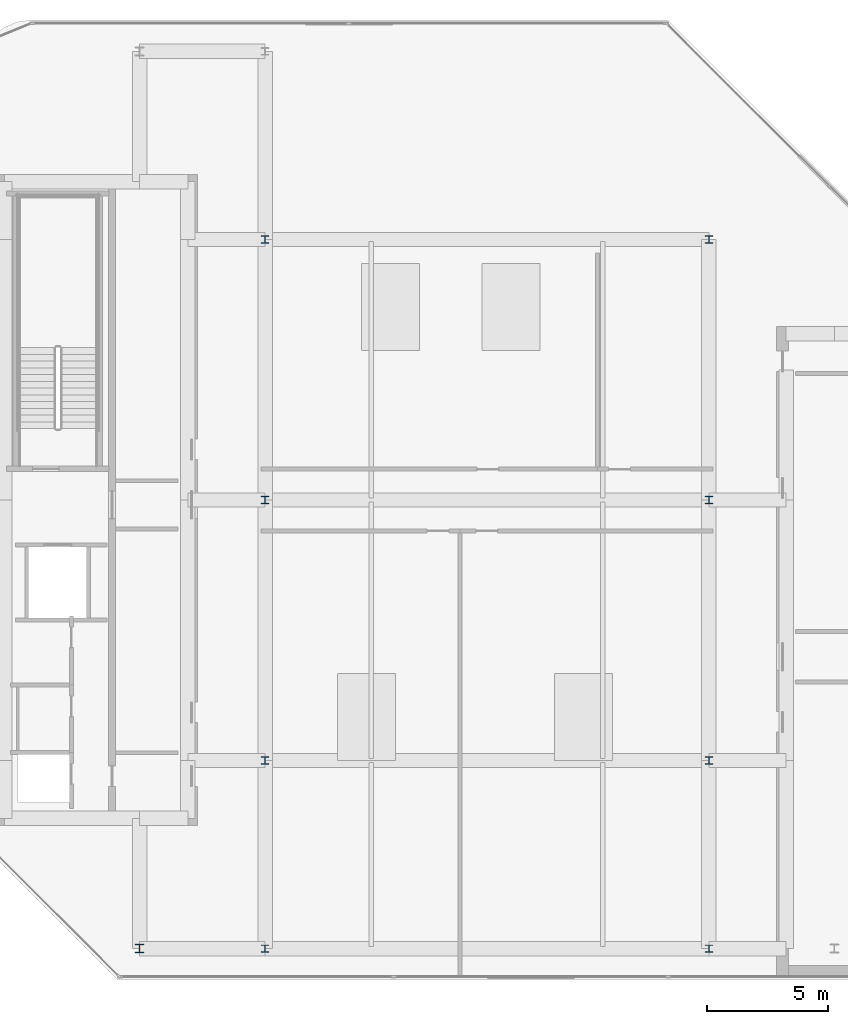
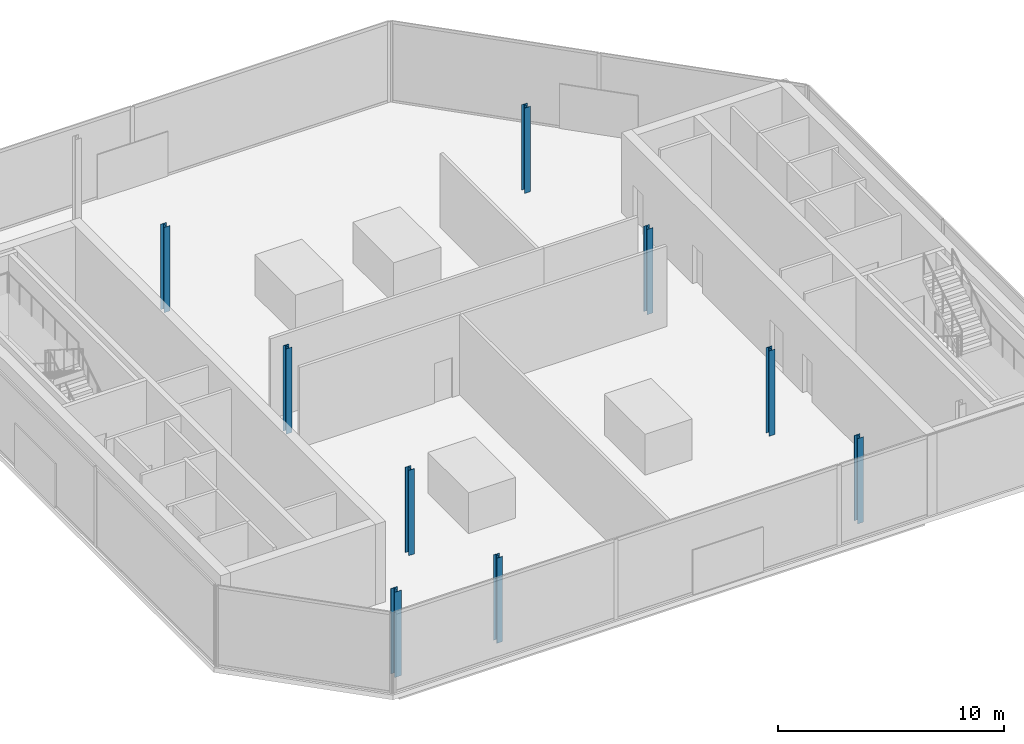
# One storey, part 1 of 15: 9 columns.
"""IFC4 building model written with IfcOpenShell, lengths in metres."""

from ifc_helpers import new_model, si_unit, direction, frame, origin, origin_2d, place, context, subcontext, project, spatial, i_section, extrude, material, material_profile, profile_set, type_object, element, save


model = new_model("IFC4")

# Units and contexts
model_context = context("Model", 3, precision=1e-05, world=origin(), true_north=direction((0.0, 1.0)))
body_context = subcontext(model_context, "Body", "Model", "MODEL_VIEW")
ifc_project = project(units=[si_unit("LENGTHUNIT", "METRE"), si_unit("AREAUNIT", "SQUARE_METRE"), si_unit("VOLUMEUNIT", "CUBIC_METRE"), si_unit("PLANEANGLEUNIT", "RADIAN"), si_unit("MASSUNIT", "GRAM", prefix="KILO")], contexts=[model_context])

# Site, building, storey
site_placement = place(None, origin())
site = spatial("IfcSite", under=ifc_project, at=site_placement, CompositionType="ELEMENT")
building_placement = place(site_placement, origin())
building = spatial("IfcBuilding", under=site, at=building_placement, Name="Khairoan Windgate Tower", CompositionType="ELEMENT")
storey_placement = place(building_placement, frame((0.0, 0.0, 330.39990234375)))
storey = spatial("IfcBuildingStorey", under=building, at=storey_placement, Name="L79", CompositionType="ELEMENT", Elevation=330.39990234375)

# Columns
ifc_material_1 = material(Name="Steel S355", Category="steel")
ifc_material_profile_1 = material_profile(ifc_material_1, i_section(OverallWidth=0.35009765625, OverallDepth=0.35009765625, WebThickness=0.011962890625, FlangeThickness=0.01904296875, FilletRadius=0.02001953125, at=origin_2d()))
ifc_profile_set_1 = profile_set([ifc_material_profile_1], Name="Steel S355")
column_type_1 = type_object("IfcColumnType", Name="Steel Column SC5 H350x350x12x19", PredefinedType="COLUMN", material=ifc_profile_set_1)
column_placement = place(storey_placement, frame((-14.39990234375, -18.60009765625, 0.0), z_axis=(0.0, 0.0, 1.0), x_axis=(1.0, 0.0, 0.0)))
element("IfcColumn", 1, at=column_placement, inside=storey, type_object=column_type_1, Name="Column L79-10", PredefinedType="COLUMN", context=body_context, shape_type="SweptSolid", body=[
    extrude(i_section(OverallWidth=0.35009765625, OverallDepth=0.35009765625, WebThickness=0.011962890625, FlangeThickness=0.01904296875, FilletRadius=0.02001953125, at=origin_2d()), origin(), (0.0, 0.0, 1.0), 4.60009765625),
])
ifc_material_2 = material(Name="Steel S355", Category="steel")
ifc_material_profile_2 = material_profile(ifc_material_2, i_section(OverallWidth=0.300048828125, OverallDepth=0.300048828125, WebThickness=0.010009765625, FlangeThickness=0.014892578125, FilletRadius=0.01806640625, at=origin_2d()))
ifc_profile_set_2 = profile_set([ifc_material_profile_2], Name="Steel S355")
column_type_2 = type_object("IfcColumnType", Name="Steel Column SC6 H300x300x10x15", PredefinedType="COLUMN", material=ifc_profile_set_2)
for number, where, z_axis, x_axis, name in (
    (2, (-9.199951171875, -18.60009765625, 0.0), (0.0, 0.0, 1.0), (1.0, 0.0, 0.0), "Column L79-01"),
    (3, (-9.199951171875, -10.800048828125, 0.0), (0.0, 0.0, 1.0), (1.0, 0.0, 0.0), "Column L79-02"),
    (4, (-9.199951171875, 0.0, 0.0), (0.0, 0.0, 1.0), (1.0, 0.0, 0.0), "Column L79-03"),
    (5, (-9.199951171875, 10.800048828125, 0.0), (0.0, 0.0, 1.0), (1.0, 0.0, 0.0), "Column L79-04"),
    (6, (9.199951171875, -18.60009765625, 0.0), (0.0, 0.0, 1.0), (1.0, 0.0, 0.0), "Column L79-06"),
    (7, (9.199951171875, -10.800048828125, 0.0), (0.0, 0.0, 1.0), (1.0, 0.0, 0.0), "Column L79-07"),
    (8, (9.199951171875, 0.0, 0.0), (0.0, 0.0, 1.0), (1.0, 0.0, 0.0), "Column L79-08"),
    (9, (9.199951171875, 10.800048828125, 0.0), (0.0, 0.0, 1.0), (1.0, 0.0, 0.0), "Column L79-09"),
):
    element("IfcColumn", number, at=place(storey_placement, frame(where, z_axis=z_axis, x_axis=x_axis)), inside=storey, type_object=column_type_2, Name=name, PredefinedType="COLUMN", context=body_context, shape_type="SweptSolid", body=[
        extrude(i_section(OverallWidth=0.300048828125, OverallDepth=0.300048828125, WebThickness=0.010009765625, FlangeThickness=0.014892578125, FilletRadius=0.01806640625, at=origin_2d()), origin(), (0.0, 0.0, 1.0), 4.60009765625),
    ])

save(model, "model.ifc")
